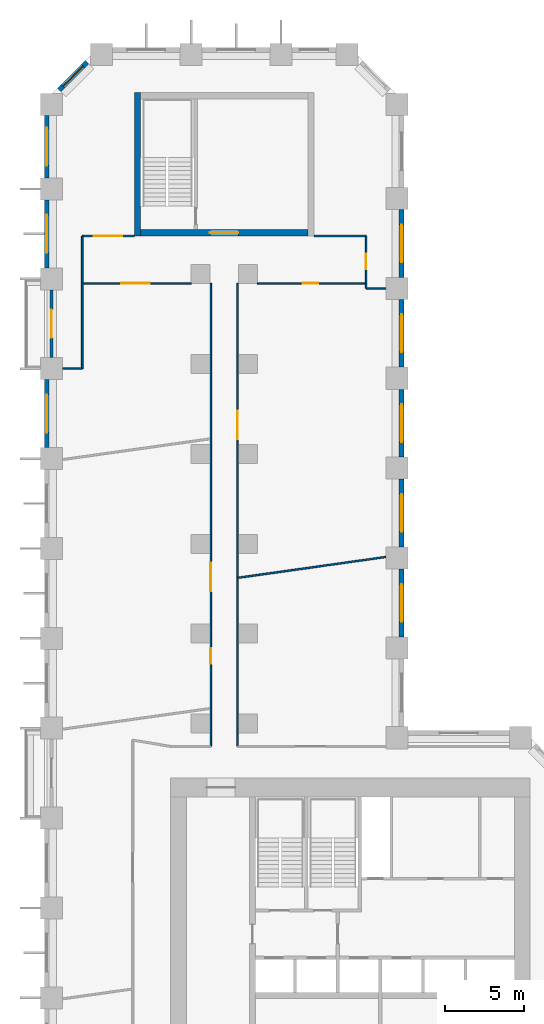
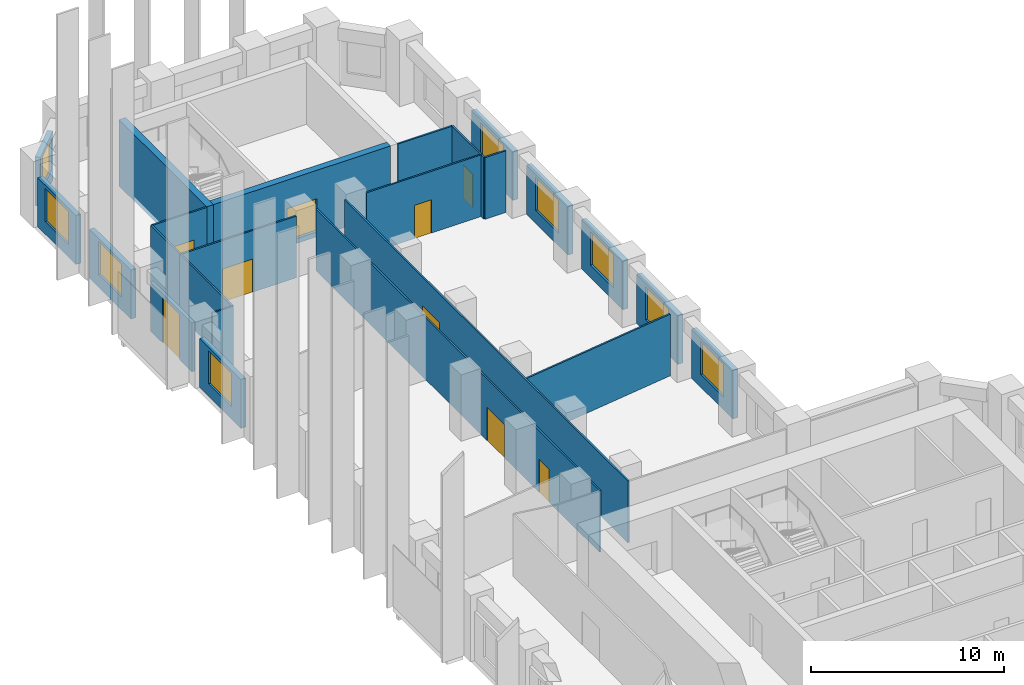
# One storey, part 9 of 12: 25 walls, 9 doors, 9 windows, 18 openings.
"""IFC4 building model written with IfcOpenShell, lengths in metres."""

from ifc_helpers import new_model, si_unit, direction, frame, frame_2d, origin, place, context, subcontext, project, spatial, rectangle, extrude, material, layer, layer_set, type_object, element, fill, save


model = new_model("IFC4")

# Units and contexts
model_context = context("Model", 3, precision=1e-05, world=origin(), true_north=direction((0.0, 1.0)))
body_context = subcontext(model_context, "Body", "Model", "MODEL_VIEW")
ifc_project = project(units=[si_unit("LENGTHUNIT", "METRE"), si_unit("AREAUNIT", "SQUARE_METRE"), si_unit("VOLUMEUNIT", "CUBIC_METRE"), si_unit("PLANEANGLEUNIT", "RADIAN"), si_unit("MASSUNIT", "GRAM", prefix="KILO")], contexts=[model_context])

# Site, building, storey
site_placement = place(None, origin())
site = spatial("IfcSite", under=ifc_project, at=site_placement, CompositionType="ELEMENT")
building_placement = place(site_placement, origin())
building = spatial("IfcBuilding", under=site, at=building_placement, Name="Meshkara Civic Tower", CompositionType="ELEMENT")
storey_placement = place(building_placement, frame((0.0, 0.0, 66.60009765625)))
storey = spatial("IfcBuildingStorey", under=building, at=storey_placement, Name="L14", CompositionType="ELEMENT", Elevation=66.60009765625)

# Wall, opening, door
ifc_material_1 = material(Name="Corridor wall 100")
ifc_layer_1 = layer(ifc_material_1, 0.10009765625)
ifc_layer_set_1 = layer_set([ifc_layer_1], Name="Corridor wall 100")
wall_type_1 = type_object("IfcWallType", Name="Corridor wall 100", PredefinedType="PARTITIONING", material=ifc_layer_set_1)
wall_1_placement = place(storey_placement, frame((2.39990234375, 68.27001953125, 0.0), z_axis=(0.0, 0.0, 1.0), x_axis=(1.0, 0.0, 0.0)))
wall_1 = element("IfcWall", 1, at=wall_1_placement, inside=storey, type_object=wall_type_1, Name="L14-W001", PredefinedType="PARTITIONING", context=body_context, shape_type="SweptSolid", body=[
    extrude(rectangle(XDim=6.900146484375, YDim=0.10009765625, at=frame_2d((3.4501953125, 0.0))), origin(), (0.0, 0.0, 1.0), 3.89990234375),
])
opening_1_placement = place(wall_1_placement, frame((2.47998046875, 0.0, 0.0)))
opening_1 = element("IfcOpeningElement", 2, at=opening_1_placement, cuts=wall_1, Name="Opening L14-D024", PredefinedType="OPENING", context=body_context, shape_type="SweptSolid", body=[
    extrude(rectangle(XDim=1.800048828125, YDim=2.10009765625, at=frame_2d((0.89990234375, 1.050048828125))), frame((0.0, 0.06005859375, 0.0), z_axis=(0.0, -1.0, 0.0), x_axis=(1.0, 0.0, 0.0)), (0.0, 0.0, 1.0), 0.1201171875),
])
ifc_material_2 = material(Name="Door pair 1800 x 2100")
door_type_1 = type_object("IfcDoorType", Name="Door pair 1800 x 2100", OperationType="SINGLE_SWING_LEFT", PredefinedType="DOOR", material=ifc_material_2)
door_1_placement = place(opening_1_placement, origin())
door_1 = element("IfcDoor", 3, at=door_1_placement, inside=storey, type_object=door_type_1, Name="L14-D024", OperationType="DOUBLE_DOOR_SINGLE_SWING", OverallHeight=2.10009765625, OverallWidth=1.800048828125, PredefinedType="DOOR", context=body_context, shape_type="SweptSolid", body=[
    extrude(rectangle(XDim=1.800048828125, YDim=2.10009765625, at=frame_2d((0.89990234375, 1.050048828125))), frame((0.0, 0.02490234375, 0.0), z_axis=(0.0, -1.0, 0.0), x_axis=(1.0, 0.0, 0.0)), (0.0, 0.0, 1.0), 0.050048828125),
])
fill(opening_1, door_1)

# Wall
wall_2_placement = place(storey_placement, frame((2.39990234375, 71.27001953125, 0.0), z_axis=(0.0, 0.0, 1.0), x_axis=(0.0, -1.0, 0.0)))
element("IfcWall", 4, at=wall_2_placement, inside=storey, type_object=wall_type_1, Name="L14-W002", PredefinedType="PARTITIONING", context=body_context, shape_type="SweptSolid", body=[
    extrude(rectangle(XDim=3.0, YDim=0.10009765625, at=frame_2d((1.5, 0.0))), origin(), (0.0, 0.0, 1.0), 3.89990234375),
])

# Wall, opening, door
wall_3_placement = place(storey_placement, frame((5.699951171875, 71.27001953125, 0.0), z_axis=(0.0, 0.0, 1.0), x_axis=(-1.0, 0.0, 0.0)))
wall_3 = element("IfcWall", 5, at=wall_3_placement, inside=storey, type_object=wall_type_1, Name="L14-W005", PredefinedType="PARTITIONING", context=body_context, shape_type="SweptSolid", body=[
    extrude(rectangle(XDim=3.300048828125, YDim=0.10009765625, at=frame_2d((1.64990234375, 0.0))), origin(), (0.0, 0.0, 1.0), 3.89990234375),
])
opening_2_placement = place(wall_3_placement, frame((0.780029296875, 0.0, 0.0)))
opening_2 = element("IfcOpeningElement", 6, at=opening_2_placement, cuts=wall_3, Name="Opening L14-D023", PredefinedType="OPENING", context=body_context, shape_type="SweptSolid", body=[
    extrude(rectangle(XDim=1.800048828125, YDim=2.10009765625, at=frame_2d((0.89990234375, 1.050048828125))), frame((0.0, 0.06005859375, 0.0), z_axis=(0.0, -1.0, 0.0), x_axis=(1.0, 0.0, 0.0)), (0.0, 0.0, 1.0), 0.1201171875),
])
door_2_placement = place(opening_2_placement, origin())
door_2 = element("IfcDoor", 7, at=door_2_placement, inside=storey, type_object=door_type_1, Name="L14-D023", OperationType="DOUBLE_DOOR_SINGLE_SWING", OverallHeight=2.10009765625, OverallWidth=1.800048828125, PredefinedType="DOOR", context=body_context, shape_type="SweptSolid", body=[
    extrude(rectangle(XDim=1.800048828125, YDim=2.10009765625, at=frame_2d((0.89990234375, 1.050048828125))), frame((0.0, 0.02490234375, 0.0), z_axis=(0.0, -1.0, 0.0), x_axis=(1.0, 0.0, 0.0)), (0.0, 0.0, 1.0), 0.050048828125),
])
fill(opening_2, door_2)

# Wall, openings, doors
wall_4_placement = place(storey_placement, frame((10.550048828125, 68.27001953125, 0.0), z_axis=(0.0, 0.0, 1.0), x_axis=(0.0, -1.0, 0.0)))
wall_4 = element("IfcWall", 8, at=wall_4_placement, inside=storey, type_object=wall_type_1, Name="L14-W013", PredefinedType="PARTITIONING", context=body_context, shape_type="SweptSolid", body=[
    extrude(rectangle(XDim=29.3701171875, YDim=0.10009765625, at=frame_2d((14.68505859375, 0.0))), origin(), (0.0, 0.0, 1.0), 3.89990234375),
])
opening_3_placement = place(wall_4_placement, frame((23.136962890625, 0.0, 0.0)))
opening_3 = element("IfcOpeningElement", 9, at=opening_3_placement, cuts=wall_4, Name="Opening L14-D020", PredefinedType="OPENING", context=body_context, shape_type="SweptSolid", body=[
    extrude(rectangle(XDim=1.0, YDim=2.10009765625, at=frame_2d((0.5, 1.050048828125))), frame((0.0, 0.06005859375, 0.0), z_axis=(0.0, -1.0, 0.0), x_axis=(1.0, 0.0, 0.0)), (0.0, 0.0, 1.0), 0.1201171875),
])
opening_4_placement = place(wall_4_placement, frame((17.737060546875, 0.0, 0.0)))
opening_4 = element("IfcOpeningElement", 10, at=opening_4_placement, cuts=wall_4, Name="Opening L14-D021", PredefinedType="OPENING", context=body_context, shape_type="SweptSolid", body=[
    extrude(rectangle(XDim=1.800048828125, YDim=2.10009765625, at=frame_2d((0.89990234375, 1.050048828125))), frame((0.0, 0.06005859375, 0.0), z_axis=(0.0, -1.0, 0.0), x_axis=(1.0, 0.0, 0.0)), (0.0, 0.0, 1.0), 0.1201171875),
])
ifc_material_3 = material(Name="Door 1000 x 2100")
door_type_2 = type_object("IfcDoorType", Name="Door 1000 x 2100", OperationType="SINGLE_SWING_LEFT", PredefinedType="DOOR", material=ifc_material_3)
door_3_placement = place(opening_3_placement, origin())
door_3 = element("IfcDoor", 11, at=door_3_placement, inside=storey, type_object=door_type_2, Name="L14-D020", OperationType="SINGLE_SWING_LEFT", OverallHeight=2.10009765625, OverallWidth=1.0, PredefinedType="DOOR", context=body_context, shape_type="SweptSolid", body=[
    extrude(rectangle(XDim=1.0, YDim=2.10009765625, at=frame_2d((0.5, 1.050048828125))), frame((0.0, 0.02490234375, 0.0), z_axis=(0.0, -1.0, 0.0), x_axis=(1.0, 0.0, 0.0)), (0.0, 0.0, 1.0), 0.050048828125),
])
fill(opening_3, door_3)
door_4_placement = place(opening_4_placement, origin())
door_4 = element("IfcDoor", 12, at=door_4_placement, inside=storey, type_object=door_type_1, Name="L14-D021", OperationType="DOUBLE_DOOR_SINGLE_SWING", OverallHeight=2.10009765625, OverallWidth=1.800048828125, PredefinedType="DOOR", context=body_context, shape_type="SweptSolid", body=[
    extrude(rectangle(XDim=1.800048828125, YDim=2.10009765625, at=frame_2d((0.89990234375, 1.050048828125))), frame((0.0, 0.02490234375, 0.0), z_axis=(0.0, -1.0, 0.0), x_axis=(1.0, 0.0, 0.0)), (0.0, 0.0, 1.0), 0.050048828125),
])
fill(opening_4, door_4)

# Wall, opening, door
wall_5_placement = place(storey_placement, frame((12.25, 68.27001953125, 0.0), z_axis=(0.0, 0.0, 1.0), x_axis=(0.0, -1.0, 0.0)))
wall_5 = element("IfcWall", 13, at=wall_5_placement, inside=storey, type_object=wall_type_1, Name="L14-W014", PredefinedType="PARTITIONING", context=body_context, shape_type="SweptSolid", body=[
    extrude(rectangle(XDim=29.3701171875, YDim=0.10009765625, at=frame_2d((14.68505859375, 0.0))), origin(), (0.0, 0.0, 1.0), 3.89990234375),
])
opening_5_placement = place(wall_5_placement, frame((8.080078125, 0.0, 0.0)))
opening_5 = element("IfcOpeningElement", 14, at=opening_5_placement, cuts=wall_5, Name="Opening L14-D022", PredefinedType="OPENING", context=body_context, shape_type="SweptSolid", body=[
    extrude(rectangle(XDim=1.800048828125, YDim=2.10009765625, at=frame_2d((0.89990234375, 1.050048828125))), frame((0.0, 0.06005859375, 0.0), z_axis=(0.0, -1.0, 0.0), x_axis=(1.0, 0.0, 0.0)), (0.0, 0.0, 1.0), 0.1201171875),
])
door_5_placement = place(opening_5_placement, origin())
door_5 = element("IfcDoor", 15, at=door_5_placement, inside=storey, type_object=door_type_1, Name="L14-D022", OperationType="DOUBLE_DOOR_SINGLE_SWING", OverallHeight=2.10009765625, OverallWidth=1.800048828125, PredefinedType="DOOR", context=body_context, shape_type="SweptSolid", body=[
    extrude(rectangle(XDim=1.800048828125, YDim=2.10009765625, at=frame_2d((0.89990234375, 1.050048828125))), frame((0.0, 0.02490234375, 0.0), z_axis=(0.0, -1.0, 0.0), x_axis=(1.0, 0.0, 0.0)), (0.0, 0.0, 1.0), 0.050048828125),
])
fill(opening_5, door_5)

wall_6_placement = place(storey_placement, frame((13.5, 68.27001953125, 0.0), z_axis=(0.0, 0.0, 1.0), x_axis=(1.0, 0.0, 0.0)))
wall_6 = element("IfcWall", 16, at=wall_6_placement, inside=storey, type_object=wall_type_1, Name="L14-W016", PredefinedType="PARTITIONING", context=body_context, shape_type="SweptSolid", body=[
    extrude(rectangle(XDim=6.89990234375, YDim=0.10009765625, at=frame_2d((3.449951171875, 0.0))), origin(), (0.0, 0.0, 1.0), 3.89990234375),
])
opening_6_placement = place(wall_6_placement, frame((2.8798828125, 0.0, 0.0)))
opening_6 = element("IfcOpeningElement", 17, at=opening_6_placement, cuts=wall_6, Name="Opening L14-D025", PredefinedType="OPENING", context=body_context, shape_type="SweptSolid", body=[
    extrude(rectangle(XDim=1.0, YDim=2.10009765625, at=frame_2d((0.5, 1.050048828125))), frame((0.0, 0.06005859375, 0.0), z_axis=(0.0, -1.0, 0.0), x_axis=(1.0, 0.0, 0.0)), (0.0, 0.0, 1.0), 0.1201171875),
])
door_6_placement = place(opening_6_placement, origin())
door_6 = element("IfcDoor", 18, at=door_6_placement, inside=storey, type_object=door_type_2, Name="L14-D025", OperationType="SINGLE_SWING_RIGHT", OverallHeight=2.10009765625, OverallWidth=1.0, PredefinedType="DOOR", context=body_context, shape_type="SweptSolid", body=[
    extrude(rectangle(XDim=1.0, YDim=2.10009765625, at=frame_2d((0.5, 1.050048828125))), frame((0.0, 0.02490234375, 0.0), z_axis=(0.0, -1.0, 0.0), x_axis=(1.0, 0.0, 0.0)), (0.0, 0.0, 1.0), 0.050048828125),
])
fill(opening_6, door_6)

wall_7_placement = place(storey_placement, frame((20.39990234375, 68.27001953125, 0.0), z_axis=(0.0, 0.0, 1.0), x_axis=(0.0, 1.0, 0.0)))
wall_7 = element("IfcWall", 19, at=wall_7_placement, inside=storey, type_object=wall_type_1, Name="L14-W017", PredefinedType="PARTITIONING", context=body_context, shape_type="SweptSolid", body=[
    extrude(rectangle(XDim=3.0, YDim=0.10009765625, at=frame_2d((1.5, 0.0))), origin(), (0.0, 0.0, 1.0), 3.89990234375),
])
opening_7_placement = place(wall_7_placement, frame((0.8798828125, 0.0, 0.0)))
opening_7 = element("IfcOpeningElement", 20, at=opening_7_placement, cuts=wall_7, Name="Opening L14-D026", PredefinedType="OPENING", context=body_context, shape_type="SweptSolid", body=[
    extrude(rectangle(XDim=1.0, YDim=2.10009765625, at=frame_2d((0.5, 1.050048828125))), frame((0.0, 0.06005859375, 0.0), z_axis=(0.0, -1.0, 0.0), x_axis=(1.0, 0.0, 0.0)), (0.0, 0.0, 1.0), 0.1201171875),
])
door_7_placement = place(opening_7_placement, origin())
door_7 = element("IfcDoor", 21, at=door_7_placement, inside=storey, type_object=door_type_2, Name="L14-D026", OperationType="SINGLE_SWING_RIGHT", OverallHeight=2.10009765625, OverallWidth=1.0, PredefinedType="DOOR", context=body_context, shape_type="SweptSolid", body=[
    extrude(rectangle(XDim=1.0, YDim=2.10009765625, at=frame_2d((0.5, 1.050048828125))), frame((0.0, 0.02490234375, 0.0), z_axis=(0.0, -1.0, 0.0), x_axis=(1.0, 0.0, 0.0)), (0.0, 0.0, 1.0), 0.050048828125),
])
fill(opening_7, door_7)

# Wall
wall_8_placement = place(storey_placement, frame((20.39990234375, 71.27001953125, 0.0), z_axis=(0.0, 0.0, 1.0), x_axis=(-1.0, 0.0, 0.0)))
element("IfcWall", 22, at=wall_8_placement, inside=storey, type_object=wall_type_1, Name="L14-W018", PredefinedType="PARTITIONING", context=body_context, shape_type="SweptSolid", body=[
    extrude(rectangle(XDim=3.2998046875, YDim=0.10009765625, at=frame_2d((1.64990234375, 0.0))), origin(), (0.0, 0.0, 1.0), 3.89990234375),
])

# Wall, opening, window
ifc_material_4 = material(Name="Insulated infill panel with bronze anodised aluminium cladding", Category="aluminium")
ifc_layer_2 = layer(ifc_material_4, 0.300048828125)
ifc_layer_set_2 = layer_set([ifc_layer_2], Name="EXTERNAL INFILL WALL 300")
wall_type_2 = type_object("IfcWallType", Name="EXTERNAL INFILL WALL 300", PredefinedType="SOLIDWALL", material=ifc_layer_set_2)
wall_9_placement = place(storey_placement, frame((22.64990234375, 45.85009765625, 0.0), z_axis=(0.0, 0.0, 1.0), x_axis=(0.0, 1.0, 0.0)))
wall_9 = element("IfcWall", 23, at=wall_9_placement, inside=storey, type_object=wall_type_2, Name="External wall", PredefinedType="SOLIDWALL", context=body_context, shape_type="SweptSolid", body=[
    extrude(rectangle(XDim=4.2998046875, YDim=0.300048828125, at=frame_2d((2.14990234375, 0.0))), origin(), (0.0, 0.0, 1.0), 3.099853515625),
])
opening_8_placement = place(wall_9_placement, frame((0.949951171875, 0.0, 0.800048828125)))
opening_8 = element("IfcOpeningElement", 24, at=opening_8_placement, cuts=wall_9, Name="Opening W7", PredefinedType="OPENING", context=body_context, shape_type="SweptSolid", body=[
    extrude(rectangle(XDim=2.39990234375, YDim=2.10009765625, at=frame_2d((1.199951171875, 1.050048828125))), frame((0.0, 0.159912109375, 0.0), z_axis=(0.0, -1.0, 0.0), x_axis=(1.0, 0.0, 0.0)), (0.0, 0.0, 1.0), 0.320068359375),
])
ifc_material_5 = material(Name="Tinted double glazing", Category="glass")
window_type_1 = type_object("IfcWindowType", Name="WINDOW 2400x2100", PartitioningType="DOUBLE_PANEL_VERTICAL", PredefinedType="WINDOW", material=ifc_material_5)
window_1_placement = place(opening_8_placement, origin())
window_1 = element("IfcWindow", 25, at=window_1_placement, inside=storey, type_object=window_type_1, Name="Window", OverallHeight=2.10009765625, OverallWidth=2.39990234375, PartitioningType="DOUBLE_PANEL_VERTICAL", PredefinedType="WINDOW", context=body_context, shape_type="SweptSolid", body=[
    extrude(rectangle(XDim=2.39990234375, YDim=2.10009765625, at=frame_2d((1.199951171875, 1.050048828125))), frame((0.0, 0.030029296875, 0.0), z_axis=(0.0, -1.0, 0.0), x_axis=(1.0, 0.0, 0.0)), (0.0, 0.0, 1.0), 0.06005859375),
])
fill(opening_8, window_1)

wall_10_placement = place(storey_placement, frame((22.64990234375, 51.550048828125, 0.0), z_axis=(0.0, 0.0, 1.0), x_axis=(0.0, 1.0, 0.0)))
wall_10 = element("IfcWall", 26, at=wall_10_placement, inside=storey, type_object=wall_type_2, Name="External wall", PredefinedType="SOLIDWALL", context=body_context, shape_type="SweptSolid", body=[
    extrude(rectangle(XDim=4.300048828125, YDim=0.300048828125, at=frame_2d((2.14990234375, 0.0))), origin(), (0.0, 0.0, 1.0), 3.099853515625),
])
opening_9_placement = place(wall_10_placement, frame((0.949951171875, 0.0, 0.800048828125)))
opening_9 = element("IfcOpeningElement", 27, at=opening_9_placement, cuts=wall_10, Name="Opening W7", PredefinedType="OPENING", context=body_context, shape_type="SweptSolid", body=[
    extrude(rectangle(XDim=2.39990234375, YDim=2.10009765625, at=frame_2d((1.199951171875, 1.050048828125))), frame((0.0, 0.159912109375, 0.0), z_axis=(0.0, -1.0, 0.0), x_axis=(1.0, 0.0, 0.0)), (0.0, 0.0, 1.0), 0.320068359375),
])
window_2_placement = place(opening_9_placement, origin())
window_2 = element("IfcWindow", 28, at=window_2_placement, inside=storey, type_object=window_type_1, Name="Window", OverallHeight=2.10009765625, OverallWidth=2.39990234375, PartitioningType="DOUBLE_PANEL_VERTICAL", PredefinedType="WINDOW", context=body_context, shape_type="SweptSolid", body=[
    extrude(rectangle(XDim=2.39990234375, YDim=2.10009765625, at=frame_2d((1.199951171875, 1.050048828125))), frame((0.0, 0.030029296875, 0.0), z_axis=(0.0, -1.0, 0.0), x_axis=(1.0, 0.0, 0.0)), (0.0, 0.0, 1.0), 0.06005859375),
])
fill(opening_9, window_2)

wall_11_placement = place(storey_placement, frame((22.64990234375, 57.25, 0.0), z_axis=(0.0, 0.0, 1.0), x_axis=(0.0, 1.0, 0.0)))
wall_11 = element("IfcWall", 29, at=wall_11_placement, inside=storey, type_object=wall_type_2, Name="External wall", PredefinedType="SOLIDWALL", context=body_context, shape_type="SweptSolid", body=[
    extrude(rectangle(XDim=4.300048828125, YDim=0.300048828125, at=frame_2d((2.14990234375, 0.0))), origin(), (0.0, 0.0, 1.0), 3.099853515625),
])
opening_10_placement = place(wall_11_placement, frame((0.949951171875, 0.0, 0.800048828125)))
opening_10 = element("IfcOpeningElement", 30, at=opening_10_placement, cuts=wall_11, Name="Opening W7", PredefinedType="OPENING", context=body_context, shape_type="SweptSolid", body=[
    extrude(rectangle(XDim=2.39990234375, YDim=2.10009765625, at=frame_2d((1.199951171875, 1.050048828125))), frame((0.0, 0.159912109375, 0.0), z_axis=(0.0, -1.0, 0.0), x_axis=(1.0, 0.0, 0.0)), (0.0, 0.0, 1.0), 0.320068359375),
])
window_3_placement = place(opening_10_placement, origin())
window_3 = element("IfcWindow", 31, at=window_3_placement, inside=storey, type_object=window_type_1, Name="Window", OverallHeight=2.10009765625, OverallWidth=2.39990234375, PartitioningType="DOUBLE_PANEL_VERTICAL", PredefinedType="WINDOW", context=body_context, shape_type="SweptSolid", body=[
    extrude(rectangle(XDim=2.39990234375, YDim=2.10009765625, at=frame_2d((1.199951171875, 1.050048828125))), frame((0.0, 0.030029296875, 0.0), z_axis=(0.0, -1.0, 0.0), x_axis=(1.0, 0.0, 0.0)), (0.0, 0.0, 1.0), 0.06005859375),
])
fill(opening_10, window_3)

wall_12_placement = place(storey_placement, frame((22.64990234375, 62.949951171875, 0.0), z_axis=(0.0, 0.0, 1.0), x_axis=(0.0, 1.0, 0.0)))
wall_12 = element("IfcWall", 32, at=wall_12_placement, inside=storey, type_object=wall_type_2, Name="External wall", PredefinedType="SOLIDWALL", context=body_context, shape_type="SweptSolid", body=[
    extrude(rectangle(XDim=4.300048828125, YDim=0.300048828125, at=frame_2d((2.14990234375, 0.0))), origin(), (0.0, 0.0, 1.0), 3.099853515625),
])
opening_11_placement = place(wall_12_placement, frame((0.949951171875, 0.0, 0.800048828125)))
opening_11 = element("IfcOpeningElement", 33, at=opening_11_placement, cuts=wall_12, Name="Opening W7", PredefinedType="OPENING", context=body_context, shape_type="SweptSolid", body=[
    extrude(rectangle(XDim=2.39990234375, YDim=2.10009765625, at=frame_2d((1.199951171875, 1.050048828125))), frame((0.0, 0.159912109375, 0.0), z_axis=(0.0, -1.0, 0.0), x_axis=(1.0, 0.0, 0.0)), (0.0, 0.0, 1.0), 0.320068359375),
])
window_4_placement = place(opening_11_placement, origin())
window_4 = element("IfcWindow", 34, at=window_4_placement, inside=storey, type_object=window_type_1, Name="Window", OverallHeight=2.10009765625, OverallWidth=2.39990234375, PartitioningType="DOUBLE_PANEL_VERTICAL", PredefinedType="WINDOW", context=body_context, shape_type="SweptSolid", body=[
    extrude(rectangle(XDim=2.39990234375, YDim=2.10009765625, at=frame_2d((1.199951171875, 1.050048828125))), frame((0.0, 0.030029296875, 0.0), z_axis=(0.0, -1.0, 0.0), x_axis=(1.0, 0.0, 0.0)), (0.0, 0.0, 1.0), 0.06005859375),
])
fill(opening_11, window_4)

wall_13_placement = place(storey_placement, frame((22.64990234375, 68.64990234375, 0.0), z_axis=(0.0, 0.0, 1.0), x_axis=(0.0, 1.0, 0.0)))
wall_13 = element("IfcWall", 35, at=wall_13_placement, inside=storey, type_object=wall_type_2, Name="External wall", PredefinedType="SOLIDWALL", context=body_context, shape_type="SweptSolid", body=[
    extrude(rectangle(XDim=4.300048828125, YDim=0.300048828125, at=frame_2d((2.14990234375, 0.0))), origin(), (0.0, 0.0, 1.0), 3.099853515625),
])
opening_12_placement = place(wall_13_placement, frame((0.949951171875, 0.0, 0.800048828125)))
opening_12 = element("IfcOpeningElement", 36, at=opening_12_placement, cuts=wall_13, Name="Opening W7", PredefinedType="OPENING", context=body_context, shape_type="SweptSolid", body=[
    extrude(rectangle(XDim=2.39990234375, YDim=2.10009765625, at=frame_2d((1.199951171875, 1.050048828125))), frame((0.0, 0.159912109375, 0.0), z_axis=(0.0, -1.0, 0.0), x_axis=(1.0, 0.0, 0.0)), (0.0, 0.0, 1.0), 0.320068359375),
])
window_5_placement = place(opening_12_placement, origin())
window_5 = element("IfcWindow", 37, at=window_5_placement, inside=storey, type_object=window_type_1, Name="Window", OverallHeight=2.10009765625, OverallWidth=2.39990234375, PartitioningType="DOUBLE_PANEL_VERTICAL", PredefinedType="WINDOW", context=body_context, shape_type="SweptSolid", body=[
    extrude(rectangle(XDim=2.39990234375, YDim=2.10009765625, at=frame_2d((1.199951171875, 1.050048828125))), frame((0.0, 0.030029296875, 0.0), z_axis=(0.0, -1.0, 0.0), x_axis=(1.0, 0.0, 0.0)), (0.0, 0.0, 1.0), 0.06005859375),
])
fill(opening_12, window_5)

wall_14_placement = place(storey_placement, frame((2.694091796875, 82.281982421875, 0.0), z_axis=(0.0, 0.0, 1.0), x_axis=(-0.707106781187, -0.707106781187, 0.0)))
wall_14 = element("IfcWall", 38, at=wall_14_placement, inside=storey, type_object=wall_type_2, Name="External wall", PredefinedType="SOLIDWALL", context=body_context, shape_type="SweptSolid", body=[
    extrude(rectangle(XDim=2.4833984375, YDim=0.300048828125, at=frame_2d((1.24169921875, 0.0))), origin(), (0.0, 0.0, 1.0), 3.099853515625),
])
opening_13_placement = place(wall_14_placement, frame((0.342041015625, 0.0, 0.800048828125)))
opening_13 = element("IfcOpeningElement", 39, at=opening_13_placement, cuts=wall_14, Name="Opening W9", PredefinedType="OPENING", context=body_context, shape_type="SweptSolid", body=[
    extrude(rectangle(XDim=1.800048828125, YDim=2.10009765625, at=frame_2d((0.89990234375, 1.050048828125))), frame((0.0, 0.159912109375, 0.0), z_axis=(0.0, -1.0, 0.0), x_axis=(1.0, 0.0, 0.0)), (0.0, 0.0, 1.0), 0.320068359375),
])
ifc_material_6 = material(Name="Tinted double glazing", Category="glass")
window_type_2 = type_object("IfcWindowType", Name="WINDOW 1800x2100", PartitioningType="DOUBLE_PANEL_VERTICAL", PredefinedType="WINDOW", material=ifc_material_6)
window_6_placement = place(opening_13_placement, origin())
window_6 = element("IfcWindow", 40, at=window_6_placement, inside=storey, type_object=window_type_2, Name="Window", OverallHeight=2.10009765625, OverallWidth=1.800048828125, PartitioningType="DOUBLE_PANEL_VERTICAL", PredefinedType="WINDOW", context=body_context, shape_type="SweptSolid", body=[
    extrude(rectangle(XDim=1.800048828125, YDim=2.10009765625, at=frame_2d((0.89990234375, 1.050048828125))), frame((0.0, 0.030029296875, 0.0), z_axis=(0.0, -1.0, 0.0), x_axis=(1.0, 0.0, 0.0)), (0.0, 0.0, 1.0), 0.06005859375),
])
fill(opening_13, window_6)

wall_15_placement = place(storey_placement, frame((0.14990234375, 78.9140625, 0.0), z_axis=(0.0, 0.0, 1.0), x_axis=(0.0, -1.0, 0.0)))
wall_15 = element("IfcWall", 41, at=wall_15_placement, inside=storey, type_object=wall_type_2, Name="External wall", PredefinedType="SOLIDWALL", context=body_context, shape_type="SweptSolid", body=[
    extrude(rectangle(XDim=3.958984375, YDim=0.300048828125, at=frame_2d((1.9794921875, 0.0))), origin(), (0.0, 0.0, 1.0), 3.099853515625),
])
opening_14_placement = place(wall_15_placement, frame((0.780029296875, 0.0, 0.800048828125)))
opening_14 = element("IfcOpeningElement", 42, at=opening_14_placement, cuts=wall_15, Name="Opening W7", PredefinedType="OPENING", context=body_context, shape_type="SweptSolid", body=[
    extrude(rectangle(XDim=2.39990234375, YDim=2.10009765625, at=frame_2d((1.199951171875, 1.050048828125))), frame((0.0, 0.159912109375, 0.0), z_axis=(0.0, -1.0, 0.0), x_axis=(1.0, 0.0, 0.0)), (0.0, 0.0, 1.0), 0.320068359375),
])
window_7_placement = place(opening_14_placement, origin())
window_7 = element("IfcWindow", 43, at=window_7_placement, inside=storey, type_object=window_type_1, Name="Window", OverallHeight=2.10009765625, OverallWidth=2.39990234375, PartitioningType="DOUBLE_PANEL_VERTICAL", PredefinedType="WINDOW", context=body_context, shape_type="SweptSolid", body=[
    extrude(rectangle(XDim=2.39990234375, YDim=2.10009765625, at=frame_2d((1.199951171875, 1.050048828125))), frame((0.0, 0.030029296875, 0.0), z_axis=(0.0, -1.0, 0.0), x_axis=(1.0, 0.0, 0.0)), (0.0, 0.0, 1.0), 0.06005859375),
])
fill(opening_14, window_7)

wall_16_placement = place(storey_placement, frame((0.14990234375, 73.554931640625, 0.0), z_axis=(0.0, 0.0, 1.0), x_axis=(0.0, -1.0, 0.0)))
wall_16 = element("IfcWall", 44, at=wall_16_placement, inside=storey, type_object=wall_type_2, Name="External wall", PredefinedType="SOLIDWALL", context=body_context, shape_type="SweptSolid", body=[
    extrude(rectangle(XDim=4.300048828125, YDim=0.300048828125, at=frame_2d((2.14990234375, 0.0))), origin(), (0.0, 0.0, 1.0), 3.099853515625),
])
opening_15_placement = place(wall_16_placement, frame((0.949951171875, 0.0, 0.800048828125)))
opening_15 = element("IfcOpeningElement", 45, at=opening_15_placement, cuts=wall_16, Name="Opening W7", PredefinedType="OPENING", context=body_context, shape_type="SweptSolid", body=[
    extrude(rectangle(XDim=2.39990234375, YDim=2.10009765625, at=frame_2d((1.199951171875, 1.050048828125))), frame((0.0, 0.159912109375, 0.0), z_axis=(0.0, -1.0, 0.0), x_axis=(1.0, 0.0, 0.0)), (0.0, 0.0, 1.0), 0.320068359375),
])
window_8_placement = place(opening_15_placement, origin())
window_8 = element("IfcWindow", 46, at=window_8_placement, inside=storey, type_object=window_type_1, Name="Window", OverallHeight=2.10009765625, OverallWidth=2.39990234375, PartitioningType="DOUBLE_PANEL_VERTICAL", PredefinedType="WINDOW", context=body_context, shape_type="SweptSolid", body=[
    extrude(rectangle(XDim=2.39990234375, YDim=2.10009765625, at=frame_2d((1.199951171875, 1.050048828125))), frame((0.0, 0.030029296875, 0.0), z_axis=(0.0, -1.0, 0.0), x_axis=(1.0, 0.0, 0.0)), (0.0, 0.0, 1.0), 0.06005859375),
])
fill(opening_15, window_8)

wall_17_placement = place(storey_placement, frame((0.14990234375, 62.155029296875, 0.0), z_axis=(0.0, 0.0, 1.0), x_axis=(0.0, -1.0, 0.0)))
wall_17 = element("IfcWall", 47, at=wall_17_placement, inside=storey, type_object=wall_type_2, Name="External wall", PredefinedType="SOLIDWALL", context=body_context, shape_type="SweptSolid", body=[
    extrude(rectangle(XDim=4.300048828125, YDim=0.300048828125, at=frame_2d((2.14990234375, 0.0))), origin(), (0.0, 0.0, 1.0), 3.099853515625),
])
opening_16_placement = place(wall_17_placement, frame((0.949951171875, 0.0, 0.800048828125)))
opening_16 = element("IfcOpeningElement", 48, at=opening_16_placement, cuts=wall_17, Name="Opening W7", PredefinedType="OPENING", context=body_context, shape_type="SweptSolid", body=[
    extrude(rectangle(XDim=2.39990234375, YDim=2.10009765625, at=frame_2d((1.199951171875, 1.050048828125))), frame((0.0, 0.159912109375, 0.0), z_axis=(0.0, -1.0, 0.0), x_axis=(1.0, 0.0, 0.0)), (0.0, 0.0, 1.0), 0.320068359375),
])
window_9_placement = place(opening_16_placement, origin())
window_9 = element("IfcWindow", 49, at=window_9_placement, inside=storey, type_object=window_type_1, Name="Window", OverallHeight=2.10009765625, OverallWidth=2.39990234375, PartitioningType="DOUBLE_PANEL_VERTICAL", PredefinedType="WINDOW", context=body_context, shape_type="SweptSolid", body=[
    extrude(rectangle(XDim=2.39990234375, YDim=2.10009765625, at=frame_2d((1.199951171875, 1.050048828125))), frame((0.0, 0.030029296875, 0.0), z_axis=(0.0, -1.0, 0.0), x_axis=(1.0, 0.0, 0.0)), (0.0, 0.0, 1.0), 0.06005859375),
])
fill(opening_16, window_9)

# Wall
ifc_material_7 = material(Name="Concrete C80", Category="concrete")
ifc_layer_3 = layer(ifc_material_7, 0.39990234375)
ifc_layer_set_3 = layer_set([ifc_layer_3], Name="End core ring wall 400 C80")
wall_type_3 = type_object("IfcWallType", Name="End core ring wall 400 C80", PredefinedType="SHEAR", material=ifc_layer_set_3)
wall_18_placement = place(storey_placement, frame((5.89990234375, 71.27001953125, -0.300048828125), z_axis=(0.0, 0.0, 1.0), x_axis=(0.0, 1.0, 0.0)))
element("IfcWall", 50, at=wall_18_placement, inside=storey, type_object=wall_type_3, Name="L14-C026", PredefinedType="SHEAR", context=body_context, shape_type="SweptSolid", body=[
    extrude(rectangle(XDim=9.10009765625, YDim=0.39990234375, at=frame_2d((4.550048828125, 0.0))), origin(), (0.0, 0.0, 1.0), 4.199951171875),
])

# Wall, opening, door
wall_19_placement = place(storey_placement, frame((6.10009765625, 71.469970703125, -0.300048828125), z_axis=(0.0, 0.0, 1.0), x_axis=(1.0, 0.0, 0.0)))
wall_19 = element("IfcWall", 51, at=wall_19_placement, inside=storey, type_object=wall_type_3, Name="L14-C028", PredefinedType="SHEAR", context=body_context, shape_type="SweptSolid", body=[
    extrude(rectangle(XDim=10.599853515625, YDim=0.39990234375, at=frame_2d((5.2998046875, 0.0))), origin(), (0.0, 0.0, 1.0), 4.199951171875),
])
opening_17_placement = place(wall_19_placement, frame((4.39990234375, 0.0, 0.300048828125)))
opening_17 = element("IfcOpeningElement", 52, at=opening_17_placement, cuts=wall_19, Name="Opening L14-K102", PredefinedType="OPENING", context=body_context, shape_type="SweptSolid", body=[
    extrude(rectangle(XDim=1.800048828125, YDim=2.10009765625, at=frame_2d((0.89990234375, 1.050048828125))), frame((0.0, 0.2099609375, 0.0), z_axis=(0.0, -1.0, 0.0), x_axis=(1.0, 0.0, 0.0)), (0.0, 0.0, 1.0), 0.419921875),
])
ifc_material_8 = material(Name="Fire-rated door leaf in steel frame", Category="steel")
door_type_3 = type_object("IfcDoorType", Name="Core double door 1800 EI 60", OperationType="DOUBLE_DOOR_SINGLE_SWING", PredefinedType="DOOR", material=ifc_material_8)
door_8_placement = place(opening_17_placement, origin())
door_8 = element("IfcDoor", 53, at=door_8_placement, inside=storey, type_object=door_type_3, Name="L14-K102", OperationType="DOUBLE_DOOR_SINGLE_SWING", OverallHeight=2.10009765625, OverallWidth=1.800048828125, PredefinedType="DOOR", context=body_context, shape_type="SweptSolid", body=[
    extrude(rectangle(XDim=1.800048828125, YDim=2.10009765625, at=frame_2d((0.89990234375, 1.050048828125))), frame((0.0, 0.02490234375, 0.0), z_axis=(0.0, -1.0, 0.0), x_axis=(1.0, 0.0, 0.0)), (0.0, 0.0, 1.0), 0.050048828125),
])
fill(opening_17, door_8)

ifc_material_9 = material(Name="Insulated infill panel with bronze anodised aluminium cladding", Category="aluminium")
ifc_layer_4 = layer(ifc_material_9, 0.199951171875)
ifc_layer_set_4 = layer_set([ifc_layer_4], Name="LOGGIA BACK WALL 200")
wall_type_4 = type_object("IfcWallType", Name="LOGGIA BACK WALL 200", PredefinedType="SOLIDWALL", material=ifc_layer_set_4)
wall_20_placement = place(storey_placement, frame((0.449951171875, 67.85498046875, 0.0), z_axis=(0.0, 0.0, 1.0), x_axis=(0.0, -1.0, 0.0)))
wall_20 = element("IfcWall", 54, at=wall_20_placement, inside=storey, type_object=wall_type_4, Name="Loggia wall", PredefinedType="SOLIDWALL", context=body_context, shape_type="SweptSolid", body=[
    extrude(rectangle(XDim=4.300048828125, YDim=0.199951171875, at=frame_2d((2.14990234375, 0.0))), origin(), (0.0, 0.0, 1.0), 3.099853515625),
])
opening_18_placement = place(wall_20_placement, frame((1.25, 0.0, 0.0)))
opening_18 = element("IfcOpeningElement", 55, at=opening_18_placement, cuts=wall_20, Name="Opening L14-L001", PredefinedType="OPENING", context=body_context, shape_type="SweptSolid", body=[
    extrude(rectangle(XDim=1.800048828125, YDim=2.89990234375, at=frame_2d((0.89990234375, 1.449951171875))), frame((0.0, 0.10986328125, 0.0), z_axis=(0.0, -1.0, 0.0), x_axis=(1.0, 0.0, 0.0)), (0.0, 0.0, 1.0), 0.219970703125),
])
ifc_material_10 = material(Name="Tinted double glazing", Category="glass")
door_type_4 = type_object("IfcDoorType", Name="LOGGIA DOOR 1800x2900", OperationType="DOUBLE_DOOR_SINGLE_SWING", PredefinedType="DOOR", material=ifc_material_10)
door_9_placement = place(opening_18_placement, origin())
door_9 = element("IfcDoor", 56, at=door_9_placement, inside=storey, type_object=door_type_4, Name="L14-L001", OperationType="DOUBLE_DOOR_SINGLE_SWING", OverallHeight=2.89990234375, OverallWidth=1.800048828125, PredefinedType="DOOR", context=body_context, shape_type="SweptSolid", body=[
    extrude(rectangle(XDim=1.800048828125, YDim=2.89990234375, at=frame_2d((0.89990234375, 1.449951171875))), frame((0.0, 0.02490234375, 0.0), z_axis=(0.0, -1.0, 0.0), x_axis=(1.0, 0.0, 0.0)), (0.0, 0.0, 1.0), 0.050048828125),
])
fill(opening_18, door_9)

# Walls
ifc_material_11 = material(Name="Partition 100")
ifc_layer_5 = layer(ifc_material_11, 0.10009765625)
ifc_layer_set_5 = layer_set([ifc_layer_5], Name="Partition 100")
wall_type_5 = type_object("IfcWallType", Name="Partition 100", PredefinedType="PARTITIONING", material=ifc_layer_set_5)
wall_21_placement = place(storey_placement, frame((2.39990234375, 62.85498046875, 0.0), z_axis=(0.0, 0.0, 1.0), x_axis=(-1.0, 0.0, 0.0)))
element("IfcWall", 57, at=wall_21_placement, inside=storey, type_object=wall_type_5, Name="L14-W032", PredefinedType="PARTITIONING", context=body_context, shape_type="SweptSolid", body=[
    extrude(rectangle(XDim=1.25, YDim=0.10009765625, at=frame_2d((0.625, 0.0))), origin(), (0.0, 0.0, 1.0), 3.89990234375),
])
wall_22_placement = place(storey_placement, frame((2.39990234375, 68.27392578125, 0.0), z_axis=(0.0, 0.0, 1.0), x_axis=(0.0, -1.0, 0.0)))
element("IfcWall", 58, at=wall_22_placement, inside=storey, type_object=wall_type_5, Name="L14-W033", PredefinedType="PARTITIONING", context=body_context, shape_type="SweptSolid", body=[
    extrude(rectangle(XDim=5.4189453125, YDim=0.10009765625, at=frame_2d((2.70947265625, 0.0))), origin(), (0.0, 0.0, 1.0), 3.89990234375),
])
wall_23_placement = place(storey_placement, frame((20.39990234375, 67.949951171875, 0.0), z_axis=(0.0, 0.0, 1.0), x_axis=(0.0, 1.0, 0.0)))
element("IfcWall", 59, at=wall_23_placement, inside=storey, type_object=wall_type_5, Name="L14-W041", PredefinedType="PARTITIONING", context=body_context, shape_type="SweptSolid", body=[
    extrude(rectangle(XDim=0.323974609375, YDim=0.10009765625, at=frame_2d((0.162109375, 0.0))), origin(), (0.0, 0.0, 1.0), 3.89990234375),
])
wall_24_placement = place(storey_placement, frame((21.64990234375, 50.9140625, 0.0), z_axis=(0.0, 0.0, 1.0), x_axis=(-0.990255073415, -0.139265536207, 0.0)))
element("IfcWall", 60, at=wall_24_placement, inside=storey, type_object=wall_type_5, Name="L14-W045", PredefinedType="PARTITIONING", context=body_context, shape_type="SweptSolid", body=[
    extrude(rectangle(XDim=9.43505859375, YDim=0.10009765625, at=frame_2d((4.717529296875, 0.0))), origin(), (0.0, 0.0, 1.0), 3.89990234375),
])
wall_25_placement = place(storey_placement, frame((21.64990234375, 67.949951171875, 0.0), z_axis=(0.0, 0.0, 1.0), x_axis=(-1.0, 0.0, 0.0)))
element("IfcWall", 61, at=wall_25_placement, inside=storey, type_object=wall_type_5, Name="L14-W046", PredefinedType="PARTITIONING", context=body_context, shape_type="SweptSolid", body=[
    extrude(rectangle(XDim=1.25, YDim=0.10009765625, at=frame_2d((0.625, 0.0))), origin(), (0.0, 0.0, 1.0), 3.89990234375),
])

save(model, "model.ifc")
